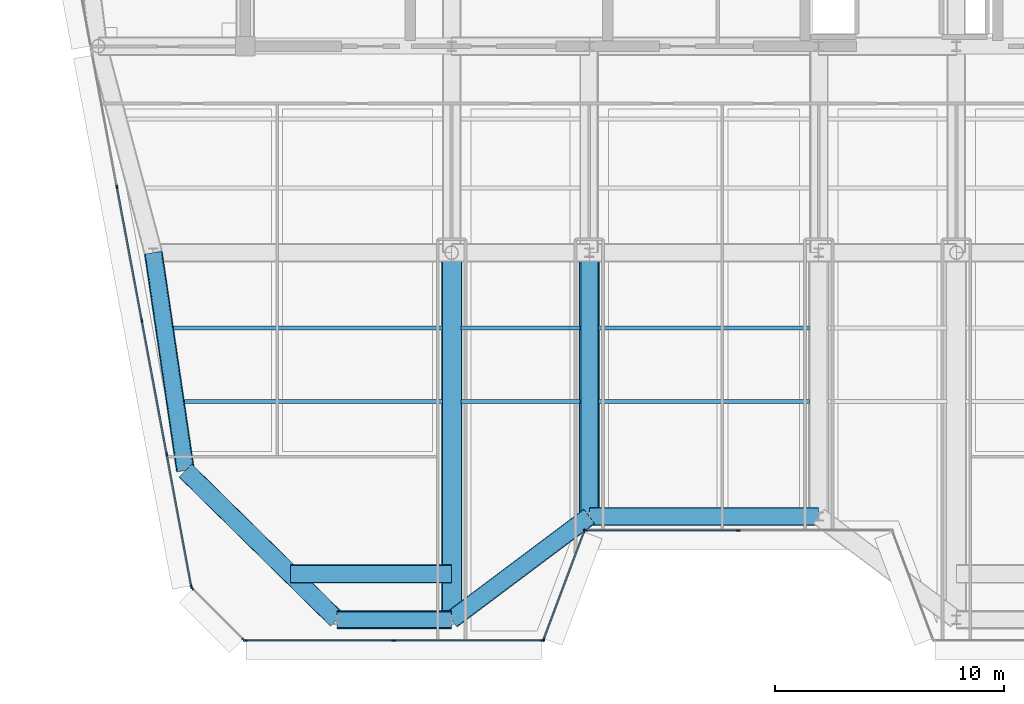
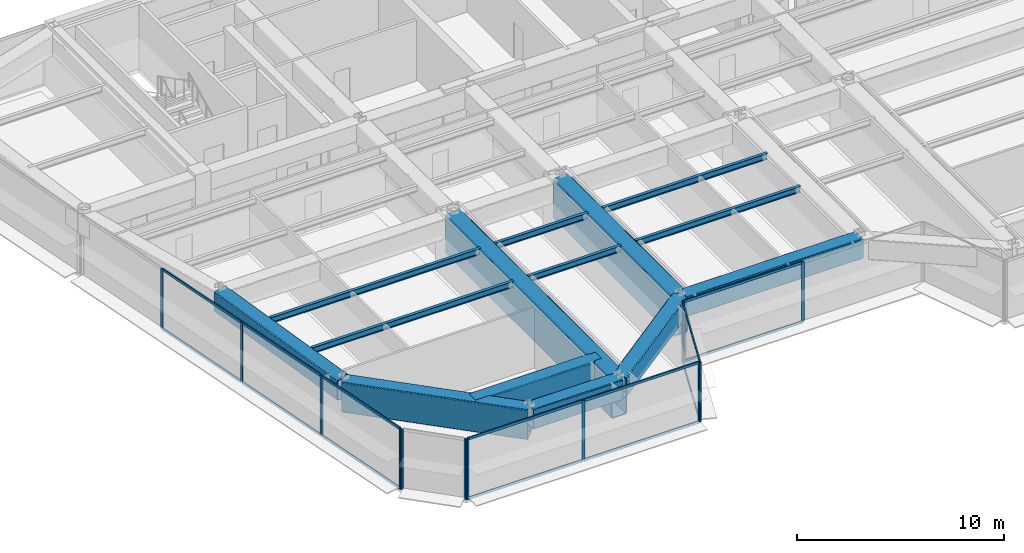
# One storey, part 3 of 18: 27 members, 14 beams, 5 elements without a shape of their own.
"""IFC4 building model written with IfcOpenShell, lengths in metres."""

from ifc_helpers import new_model, si_unit, direction, frame, origin, origin_2d, place, context, subcontext, project, spatial, rectangle, hollow_rectangle, i_section, extrude, source, transform, mapped, material, layer, layer_set, material_profile, profile_set, type_object, element, aggregate, save


model = new_model("IFC4")

# Units and contexts
model_context = context("Model", 3, precision=1e-05, world=origin(), true_north=direction((0.0, 1.0)))
body_context = subcontext(model_context, "Body", "Model", "MODEL_VIEW")
ifc_project = project(units=[si_unit("LENGTHUNIT", "METRE"), si_unit("AREAUNIT", "SQUARE_METRE"), si_unit("VOLUMEUNIT", "CUBIC_METRE"), si_unit("PLANEANGLEUNIT", "RADIAN"), si_unit("MASSUNIT", "GRAM", prefix="KILO")], contexts=[model_context])

# Site, building, storey
site_placement = place(None, origin())
site = spatial("IfcSite", under=ifc_project, at=site_placement, CompositionType="ELEMENT")
building_placement = place(site_placement, origin())
building = spatial("IfcBuilding", under=site, at=building_placement, Name="Vaeldorn Concourse Tower", CompositionType="ELEMENT")
storey_placement = place(building_placement, frame((0.0, 0.0, 265.0)))
storey = spatial("IfcBuildingStorey", under=building, at=storey_placement, Name="L68", CompositionType="ELEMENT", Elevation=265.0)

# Beams
ifc_material_1 = material(Name="Steel S460", Category="steel")
ifc_material_profile_1 = material_profile(ifc_material_1, hollow_rectangle(XDim=0.800048828125, YDim=1.199951171875, WallThickness=0.044921875, InnerFilletRadius=0.044921875, OuterFilletRadius=0.090087890625, at=origin_2d()), Name="RHS 1200x800x45")
ifc_profile_set_1 = profile_set([ifc_material_profile_1], Name="Steel S460")
beam_type_1 = type_object("IfcBeamType", Name="BM-TG-RHS1200", PredefinedType="BEAM", material=ifc_profile_set_1)
shared_shape_1 = source(origin(), body_context, "Body", "SweptSolid", [
    extrude(hollow_rectangle(XDim=0.800048828125, YDim=1.199951171875, WallThickness=0.044921875, InnerFilletRadius=0.044921875, OuterFilletRadius=0.090087890625, at=origin_2d()), origin(), (0.0, 0.0, 1.0), 10.0),
])
beam_1_placement = place(storey_placement, frame((29.0, 16.0, 2.97998046875), z_axis=(1.0, 0.0, 0.0), x_axis=(0.0, 1.0, 0.0)))
element("IfcBeam", 1, at=beam_1_placement, inside=storey, type_object=beam_type_1, Name="Beam BM-L68-C-SF3-C-SF4", PredefinedType="BEAM", context=body_context, shape_type="MappedRepresentation", body=[
    mapped(shared_shape_1, transform((0.0, 0.0, 0.0), scale=1.0)),
])
shared_shape_2 = source(origin(), body_context, "Body", "SweptSolid", [
    extrude(hollow_rectangle(XDim=0.800048828125, YDim=1.199951171875, WallThickness=0.044921875, InnerFilletRadius=0.044921875, OuterFilletRadius=0.090087890625, at=origin_2d()), origin(), (0.0, 0.0, 1.0), 5.0),
])
beam_2_placement = place(storey_placement, frame((18.0, 11.5, 2.97998046875), z_axis=(1.0, 0.0, 0.0), x_axis=(0.0, 1.0, 0.0)))
element("IfcBeam", 2, at=beam_2_placement, inside=storey, type_object=beam_type_1, Name="Beam BM-L68-C-SF1-C-SF2", PredefinedType="BEAM", context=body_context, shape_type="MappedRepresentation", body=[
    mapped(shared_shape_2, transform((0.0, 0.0, 0.0), scale=1.0)),
])
shared_shape_3 = source(origin(), body_context, "Body", "SweptSolid", [
    extrude(hollow_rectangle(XDim=0.800048828125, YDim=1.199951171875, WallThickness=0.044921875, InnerFilletRadius=0.044921875, OuterFilletRadius=0.090087890625, at=origin_2d()), origin(), (0.0, 0.0, 1.0), 7.5),
])
beam_3_placement = place(storey_placement, frame((23.0, 11.5, 2.97998046875), z_axis=(0.8, 0.6, 0.0), x_axis=(-0.6, 0.8, 0.0)))
element("IfcBeam", 3, at=beam_3_placement, inside=storey, type_object=beam_type_1, Name="Beam BM-L68-C-SF2-C-SF3", PredefinedType="BEAM", context=body_context, shape_type="MappedRepresentation", body=[
    mapped(shared_shape_3, transform((0.0, 0.0, 0.0), scale=1.0)),
])
shared_shape_4 = source(origin(), body_context, "Body", "SweptSolid", [
    extrude(hollow_rectangle(XDim=0.800048828125, YDim=1.199951171875, WallThickness=0.044921875, InnerFilletRadius=0.044921875, OuterFilletRadius=0.090087890625, at=origin_2d()), origin(), (0.0, 0.0, 1.0), 9.6025390625),
])
beam_4_placement = place(storey_placement, frame((10.0, 27.5, 2.97998046875), z_axis=(0.145783835977, -0.989316467652, 0.0), x_axis=(0.989316467652, 0.145783835977, 0.0)))
element("IfcBeam", 4, at=beam_4_placement, inside=storey, type_object=beam_type_1, Name="Beam BM-L68-C-FLW1-C-FLW2", PredefinedType="BEAM", context=body_context, shape_type="MappedRepresentation", body=[
    mapped(shared_shape_4, transform((0.0, 0.0, 0.0), scale=1.0)),
])
ifc_material_profile_2 = material_profile(ifc_material_1, hollow_rectangle(XDim=0.89990234375, YDim=2.39990234375, WallThickness=0.06005859375, InnerFilletRadius=0.06005859375, OuterFilletRadius=0.1201171875, at=origin_2d()), Name="RHS 2400x900x60")
ifc_profile_set_2 = profile_set([ifc_material_profile_2], Name="Steel S460")
beam_type_2 = type_object("IfcBeamType", Name="BM-TG-BOX2400", PredefinedType="BEAM", material=ifc_profile_set_2)
shared_shape_5 = source(origin(), body_context, "Body", "SweptSolid", [
    extrude(hollow_rectangle(XDim=0.89990234375, YDim=2.39990234375, WallThickness=0.06005859375, InnerFilletRadius=0.06005859375, OuterFilletRadius=0.1201171875, at=origin_2d()), origin(), (0.0, 0.0, 1.0), 11.5),
])
beam_5_placement = place(storey_placement, frame((29.0, 16.0, 2.3798828125), z_axis=(0.0, 1.0, 0.0), x_axis=(-1.0, 0.0, 0.0)))
element("IfcBeam", 5, at=beam_5_placement, inside=storey, type_object=beam_type_2, Name="Beam BM-SETBACK-L68-C-SF3", PredefinedType="BEAM", context=body_context, shape_type="MappedRepresentation", body=[
    mapped(shared_shape_5, transform((0.0, 0.0, 0.0), scale=1.0)),
])
shared_shape_6 = source(origin(), body_context, "Body", "SweptSolid", [
    extrude(hollow_rectangle(XDim=0.89990234375, YDim=2.39990234375, WallThickness=0.06005859375, InnerFilletRadius=0.06005859375, OuterFilletRadius=0.1201171875, at=origin_2d()), origin(), (0.0, 0.0, 1.0), 16.0),
])
beam_6_placement = place(storey_placement, frame((23.0, 11.5, 2.3798828125), z_axis=(0.0, 1.0, 0.0), x_axis=(-1.0, 0.0, 0.0)))
element("IfcBeam", 6, at=beam_6_placement, inside=storey, type_object=beam_type_2, Name="Beam BM-SETBACK-L68-C-SF2", PredefinedType="BEAM", context=body_context, shape_type="MappedRepresentation", body=[
    mapped(shared_shape_6, transform((0.0, 0.0, 0.0), scale=1.0)),
])
ifc_material_profile_3 = material_profile(ifc_material_1, hollow_rectangle(XDim=0.800048828125, YDim=1.800048828125, WallThickness=0.050048828125, InnerFilletRadius=0.050048828125, OuterFilletRadius=0.10009765625, at=origin_2d()), Name="RHS 1800x800x50")
ifc_profile_set_3 = profile_set([ifc_material_profile_3], Name="Steel S460")
beam_type_3 = type_object("IfcBeamType", Name="BM-TG-BOX1800", PredefinedType="BEAM", material=ifc_profile_set_3)
shared_shape_7 = source(origin(), body_context, "Body", "SweptSolid", [
    extrude(hollow_rectangle(XDim=0.800048828125, YDim=1.800048828125, WallThickness=0.050048828125, InnerFilletRadius=0.050048828125, OuterFilletRadius=0.10009765625, at=origin_2d()), origin(), (0.0, 0.0, 1.0), 9.263427734375),
])
beam_7_placement = place(storey_placement, frame((18.0, 11.5, 2.679931640625), z_axis=(-0.71248897494, 0.701683305053, 0.0), x_axis=(-0.701683305053, -0.71248897494, 0.0)))
element("IfcBeam", 7, at=beam_7_placement, inside=storey, type_object=beam_type_3, Name="Beam BM-SETBACK-FL-L68-C-SF1", PredefinedType="BEAM", context=body_context, shape_type="MappedRepresentation", body=[
    mapped(shared_shape_7, transform((0.0, 0.0, 0.0), scale=1.0)),
])
shared_shape_8 = source(origin(), body_context, "Body", "SweptSolid", [
    extrude(hollow_rectangle(XDim=0.800048828125, YDim=1.800048828125, WallThickness=0.050048828125, InnerFilletRadius=0.050048828125, OuterFilletRadius=0.10009765625, at=origin_2d()), origin(), (0.0, 0.0, 1.0), 7.03076171875),
])
beam_8_placement = place(storey_placement, frame((15.96923828125, 13.5, 2.679931640625), z_axis=(1.0, 0.0, 0.0), x_axis=(0.0, 1.0, 0.0)))
element("IfcBeam", 8, at=beam_8_placement, inside=storey, type_object=beam_type_3, Name="Beam BM-SETBACK-EW-L68-C-SF1", PredefinedType="BEAM", context=body_context, shape_type="MappedRepresentation", body=[
    mapped(shared_shape_8, transform((0.0, 0.0, 0.0), scale=1.0)),
])
ifc_material_2 = material(Name="Steel S355", Category="steel")
ifc_material_profile_4 = material_profile(ifc_material_2, i_section(OverallWidth=0.169921875, OverallDepth=0.360107421875, WebThickness=0.008056640625, FlangeThickness=0.0126953125, FilletRadius=0.01806640625, at=origin_2d()), Name="IPE 360")
ifc_profile_set_4 = profile_set([ifc_material_profile_4], Name="Steel S355")
beam_type_4 = type_object("IfcBeamType", Name="BM-JS-IPE360", PredefinedType="JOIST", material=ifc_profile_set_4)
shared_shape_9 = source(origin(), body_context, "Body", "SweptSolid", [
    extrude(i_section(OverallWidth=0.169921875, OverallDepth=0.360107421875, WebThickness=0.008056640625, FlangeThickness=0.0126953125, FilletRadius=0.01806640625, at=origin_2d()), origin(), (0.0, 0.0, 1.0), 11.2451171875),
])
beam_9_placement = place(storey_placement, frame((11.35498046875, 21.02001953125, 3.39990234375), z_axis=(1.0, 0.0, 0.0), x_axis=(0.0, 1.0, 0.0)))
element("IfcBeam", 9, at=beam_9_placement, inside=storey, type_object=beam_type_4, Name="Beam JS-L68-W1-210", PredefinedType="JOIST", context=body_context, shape_type="MappedRepresentation", body=[
    mapped(shared_shape_9, transform((0.0, 0.0, 0.0), scale=1.0)),
])
shared_shape_10 = source(origin(), body_context, "Body", "SweptSolid", [
    extrude(i_section(OverallWidth=0.169921875, OverallDepth=0.360107421875, WebThickness=0.008056640625, FlangeThickness=0.0126953125, FilletRadius=0.01806640625, at=origin_2d()), origin(), (0.0, 0.0, 1.0), 5.2001953125),
])
for number, where, z_axis, x_axis, name in (
    (10, (23.39990234375, 21.02001953125, 3.39990234375), (1.0, 0.0, 0.0), (0.0, 1.0, 0.0), "Beam JS-L68-W2-210"),
    (11, (23.39990234375, 24.219970703125, 3.39990234375), (1.0, 0.0, 0.0), (0.0, 1.0, 0.0), "Beam JS-L68-W2-242"),
):
    element("IfcBeam", number, at=place(storey_placement, frame(where, z_axis=z_axis, x_axis=x_axis)), inside=storey, type_object=beam_type_4, Name=name, PredefinedType="JOIST", context=body_context, shape_type="MappedRepresentation", body=[
        mapped(shared_shape_10, transform((0.0, 0.0, 0.0), scale=1.0)),
    ])
shared_shape_11 = source(origin(), body_context, "Body", "SweptSolid", [
    extrude(i_section(OverallWidth=0.169921875, OverallDepth=0.360107421875, WebThickness=0.008056640625, FlangeThickness=0.0126953125, FilletRadius=0.01806640625, at=origin_2d()), origin(), (0.0, 0.0, 1.0), 9.2001953125),
])
for number, where, z_axis, x_axis, name in (
    (12, (29.39990234375, 21.02001953125, 3.39990234375), (1.0, 0.0, 0.0), (0.0, 1.0, 0.0), "Beam JS-L68-C-210"),
    (13, (29.39990234375, 24.219970703125, 3.39990234375), (1.0, 0.0, 0.0), (0.0, 1.0, 0.0), "Beam JS-L68-C-242"),
):
    element("IfcBeam", number, at=place(storey_placement, frame(where, z_axis=z_axis, x_axis=x_axis)), inside=storey, type_object=beam_type_4, Name=name, PredefinedType="JOIST", context=body_context, shape_type="MappedRepresentation", body=[
        mapped(shared_shape_11, transform((0.0, 0.0, 0.0), scale=1.0)),
    ])
shared_shape_12 = source(origin(), body_context, "Body", "SweptSolid", [
    extrude(i_section(OverallWidth=0.169921875, OverallDepth=0.360107421875, WebThickness=0.008056640625, FlangeThickness=0.0126953125, FilletRadius=0.01806640625, at=origin_2d()), origin(), (0.0, 0.0, 1.0), 11.716796875),
])
beam_10_placement = place(storey_placement, frame((10.88330078125, 24.219970703125, 3.39990234375), z_axis=(1.0, 0.0, 0.0), x_axis=(0.0, 1.0, 0.0)))
element("IfcBeam", 14, at=beam_10_placement, inside=storey, type_object=beam_type_4, Name="Beam JS-L68-W1-242", PredefinedType="JOIST", context=body_context, shape_type="MappedRepresentation", body=[
    mapped(shared_shape_12, transform((0.0, 0.0, 0.0), scale=1.0)),
])

# Curtain wall, members
ifc_material_3 = material(Name="Anodised Bronze Aluminium", Category="aluminium")
ifc_layer = layer(ifc_material_3, 0.179931640625)
ifc_layer_set = layer_set([ifc_layer], Name="Anodised Bronze Aluminium")
curtain_wall_type = type_object("IfcCurtainWallType", Name="CW-SYS-05", PredefinedType="NOTDEFINED", material=ifc_layer_set)
curtain_wall_1_placement = place(storey_placement, origin())
curtain_wall_1 = element("IfcCurtainWall", 15, at=curtain_wall_1_placement, inside=storey, type_object=curtain_wall_type, Name="Unitised Curtain Wall CW-L68-E02-1", PredefinedType="NOTDEFINED")
ifc_material_profile_5 = material_profile(ifc_material_3, rectangle(XDim=0.06494140625, YDim=0.14990234375, at=origin_2d()), Name="CWT 65x150")
ifc_profile_set_5 = profile_set([ifc_material_profile_5], Name="Anodised Bronze Aluminium")
member_type_1 = type_object("IfcMemberType", Name="CWT-BRONZE-150", PredefinedType="USERDEFINED", material=ifc_profile_set_5)
shared_shape_13 = source(origin(), body_context, "Body", "SweptSolid", [
    extrude(rectangle(XDim=0.06494140625, YDim=0.14990234375, at=origin_2d()), origin(), (0.0, 0.0, 1.0), 4.996337890625),
])
member_1_placement = place(storey_placement, frame((27.022705078125, 10.660888671875, 0.032470703125), z_axis=(0.351134151405, 0.936325161318, 0.0), x_axis=(-0.936325161318, 0.351134151405, 0.0)))
member_1 = element("IfcMember", 16, at=member_1_placement, type_object=member_type_1, Name="CW-05 transom 1.1", ObjectType="TRANSOM", PredefinedType="USERDEFINED", context=body_context, shape_type="MappedRepresentation", body=[
    mapped(shared_shape_13, transform((0.0, 0.0, 0.0), scale=1.0)),
])
member_2_placement = place(storey_placement, frame((27.022705078125, 10.660888671875, 3.547607421875), z_axis=(0.351134151405, 0.936325161318, 0.0), x_axis=(-0.936325161318, 0.351134151405, 0.0)))
member_2 = element("IfcMember", 17, at=member_2_placement, type_object=member_type_1, Name="CW-05 transom 1.2", ObjectType="TRANSOM", PredefinedType="USERDEFINED", context=body_context, shape_type="MappedRepresentation", body=[
    mapped(shared_shape_13, transform((0.0, 0.0, 0.0), scale=1.0)),
])

curtain_wall_2_placement = place(storey_placement, origin())
curtain_wall_2 = element("IfcCurtainWall", 18, at=curtain_wall_2_placement, inside=storey, type_object=curtain_wall_type, Name="Unitised Curtain Wall CW-L68-E03-1", PredefinedType="NOTDEFINED")
shared_shape_14 = source(origin(), body_context, "Body", "SweptSolid", [
    extrude(rectangle(XDim=0.06494140625, YDim=0.14990234375, at=origin_2d()), origin(), (0.0, 0.0, 1.0), 6.6025390625),
])
member_3_placement = place(storey_placement, frame((28.864990234375, 15.39990234375, 0.032470703125), z_axis=(1.0, 0.0, 0.0), x_axis=(0.0, 1.0, 0.0)))
member_3 = element("IfcMember", 19, at=member_3_placement, type_object=member_type_1, Name="CW-05 transom 1.1", ObjectType="TRANSOM", PredefinedType="USERDEFINED", context=body_context, shape_type="MappedRepresentation", body=[
    mapped(shared_shape_14, transform((0.0, 0.0, 0.0), scale=1.0)),
])
member_4_placement = place(storey_placement, frame((28.864990234375, 15.39990234375, 3.547607421875), z_axis=(1.0, 0.0, 0.0), x_axis=(0.0, 1.0, 0.0)))
member_4 = element("IfcMember", 20, at=member_4_placement, type_object=member_type_1, Name="CW-05 transom 1.2", ObjectType="TRANSOM", PredefinedType="USERDEFINED", context=body_context, shape_type="MappedRepresentation", body=[
    mapped(shared_shape_14, transform((0.0, 0.0, 0.0), scale=1.0)),
])

curtain_wall_3_placement = place(storey_placement, origin())
curtain_wall_3 = element("IfcCurtainWall", 21, at=curtain_wall_3_placement, inside=storey, type_object=curtain_wall_type, Name="Unitised Curtain Wall CW-L68-E01-1", PredefinedType="NOTDEFINED")
ifc_material_profile_6 = material_profile(ifc_material_3, rectangle(XDim=0.06494140625, YDim=0.169921875, at=origin_2d()), Name="CWM 65x170")
ifc_profile_set_6 = profile_set([ifc_material_profile_6], Name="Anodised Bronze Aluminium")
member_type_2 = type_object("IfcMemberType", Name="CWM-BRONZE-170", PredefinedType="MULLION", material=ifc_profile_set_6)
shared_shape_15 = source(origin(), body_context, "Body", "SweptSolid", [
    extrude(rectangle(XDim=0.06494140625, YDim=0.169921875, at=origin_2d()), origin(), (0.0, 0.0, 1.0), 3.580078125),
])
member_5_placement = place(storey_placement, frame((13.99853515625, 10.60009765625, 0.0), z_axis=(0.0, 0.0, 1.0), x_axis=(0.0, 1.0, 0.0)))
member_5 = element("IfcMember", 22, at=member_5_placement, type_object=member_type_2, Name="CW-05 mullion 1", PredefinedType="MULLION", context=body_context, shape_type="MappedRepresentation", body=[
    mapped(shared_shape_15, transform((0.0, 0.0, 0.0), scale=1.0)),
])
member_6_placement = place(storey_placement, frame((20.48291015625, 10.60009765625, 0.0), z_axis=(0.0, 0.0, 1.0), x_axis=(0.0, 1.0, 0.0)))
member_6 = element("IfcMember", 23, at=member_6_placement, type_object=member_type_2, Name="CW-05 mullion 2", PredefinedType="MULLION", context=body_context, shape_type="MappedRepresentation", body=[
    mapped(shared_shape_15, transform((0.0, 0.0, 0.0), scale=1.0)),
])
member_7_placement = place(storey_placement, frame((26.967529296875, 10.60009765625, 0.0), z_axis=(0.0, 0.0, 1.0), x_axis=(0.0, 1.0, 0.0)))
member_7 = element("IfcMember", 24, at=member_7_placement, type_object=member_type_2, Name="CW-05 mullion 3", PredefinedType="MULLION", context=body_context, shape_type="MappedRepresentation", body=[
    mapped(shared_shape_15, transform((0.0, 0.0, 0.0), scale=1.0)),
])

# Member
member_8_placement = place(storey_placement, frame((27.011474609375, 10.63037109375, 0.0), z_axis=(0.0, 0.0, 1.0), x_axis=(-0.936329177566, 0.351123441595, 0.0)))
member_8 = element("IfcMember", 25, at=member_8_placement, type_object=member_type_2, Name="CW-05 mullion 1", PredefinedType="MULLION", context=body_context, shape_type="MappedRepresentation", body=[
    mapped(shared_shape_15, transform((0.0, 0.0, 0.0), scale=1.0)),
])

member_9_placement = place(storey_placement, frame((28.78857421875, 15.36962890625, 0.0), z_axis=(0.0, 0.0, 1.0), x_axis=(-0.936329177566, 0.351123441595, 0.0)))
member_9 = element("IfcMember", 26, at=member_9_placement, type_object=member_type_2, Name="CW-05 mullion 2", PredefinedType="MULLION", context=body_context, shape_type="MappedRepresentation", body=[
    mapped(shared_shape_15, transform((0.0, 0.0, 0.0), scale=1.0)),
])

aggregate(curtain_wall_1, [member_8, member_9, member_1, member_2])

member_10_placement = place(storey_placement, frame((28.83251953125, 15.39990234375, 0.0), z_axis=(0.0, 0.0, 1.0), x_axis=(0.0, 1.0, 0.0)))
member_10 = element("IfcMember", 27, at=member_10_placement, type_object=member_type_2, Name="CW-05 mullion 1", PredefinedType="MULLION", context=body_context, shape_type="MappedRepresentation", body=[
    mapped(shared_shape_15, transform((0.0, 0.0, 0.0), scale=1.0)),
])

member_11_placement = place(storey_placement, frame((35.5, 15.39990234375, 0.0), z_axis=(0.0, 0.0, 1.0), x_axis=(0.0, 1.0, 0.0)))
member_11 = element("IfcMember", 28, at=member_11_placement, type_object=member_type_2, Name="CW-05 mullion 2", PredefinedType="MULLION", context=body_context, shape_type="MappedRepresentation", body=[
    mapped(shared_shape_15, transform((0.0, 0.0, 0.0), scale=1.0)),
])

aggregate(curtain_wall_2, [member_10, member_11, member_3, member_4])

# Curtain wall, members
curtain_wall_4_placement = place(storey_placement, origin())
curtain_wall_4 = element("IfcCurtainWall", 29, at=curtain_wall_4_placement, inside=storey, type_object=curtain_wall_type, Name="Unitised Curtain Wall CW-L68-E11-2", PredefinedType="NOTDEFINED")
member_12_placement = place(storey_placement, frame((8.414306640625, 30.36376953125, 0.0), z_axis=(0.0, 0.0, 1.0), x_axis=(0.983102653673, 0.18305510739, 0.0)))
member_12 = element("IfcMember", 30, at=member_12_placement, type_object=member_type_2, Name="CW-05 mullion 2", PredefinedType="MULLION", context=body_context, shape_type="MappedRepresentation", body=[
    mapped(shared_shape_15, transform((0.0, 0.0, 0.0), scale=1.0)),
])
member_13_placement = place(storey_placement, frame((9.498046875, 24.54248046875, 0.0), z_axis=(0.0, 0.0, 1.0), x_axis=(0.983102653673, 0.18305510739, 0.0)))
member_13 = element("IfcMember", 31, at=member_13_placement, type_object=member_type_2, Name="CW-05 mullion 3", PredefinedType="MULLION", context=body_context, shape_type="MappedRepresentation", body=[
    mapped(shared_shape_15, transform((0.0, 0.0, 0.0), scale=1.0)),
])
member_14_placement = place(storey_placement, frame((10.58203125, 18.72119140625, 0.0), z_axis=(0.0, 0.0, 1.0), x_axis=(0.983102653673, 0.18305510739, 0.0)))
member_14 = element("IfcMember", 32, at=member_14_placement, type_object=member_type_2, Name="CW-05 mullion 4", PredefinedType="MULLION", context=body_context, shape_type="MappedRepresentation", body=[
    mapped(shared_shape_15, transform((0.0, 0.0, 0.0), scale=1.0)),
])
member_15_placement = place(storey_placement, frame((11.66015625, 12.931884765625, 0.0), z_axis=(0.0, 0.0, 1.0), x_axis=(0.983102653673, 0.18305510739, 0.0)))
member_15 = element("IfcMember", 33, at=member_15_placement, type_object=member_type_2, Name="CW-05 mullion 5", PredefinedType="MULLION", context=body_context, shape_type="MappedRepresentation", body=[
    mapped(shared_shape_15, transform((0.0, 0.0, 0.0), scale=1.0)),
])

curtain_wall_5_placement = place(storey_placement, origin())
curtain_wall_5 = element("IfcCurtainWall", 34, at=curtain_wall_5_placement, inside=storey, type_object=curtain_wall_type, Name="Unitised Curtain Wall CW-L68-E12-1", PredefinedType="NOTDEFINED")
member_16_placement = place(storey_placement, frame((11.68896484375, 12.876953125, 0.0), z_axis=(0.0, 0.0, 1.0), x_axis=(0.707106781187, 0.707106781187, 0.0)))
member_16 = element("IfcMember", 35, at=member_16_placement, type_object=member_type_2, Name="CW-05 mullion 1", PredefinedType="MULLION", context=body_context, shape_type="MappedRepresentation", body=[
    mapped(shared_shape_15, transform((0.0, 0.0, 0.0), scale=1.0)),
])
member_17_placement = place(storey_placement, frame((13.943115234375, 10.623046875, 0.0), z_axis=(0.0, 0.0, 1.0), x_axis=(0.707106781187, 0.707106781187, 0.0)))
member_17 = element("IfcMember", 36, at=member_17_placement, type_object=member_type_2, Name="CW-05 mullion 2", PredefinedType="MULLION", context=body_context, shape_type="MappedRepresentation", body=[
    mapped(shared_shape_15, transform((0.0, 0.0, 0.0), scale=1.0)),
])
aggregate(curtain_wall_5, [member_16, member_17])

# Member
shared_shape_16 = source(origin(), body_context, "Body", "SweptSolid", [
    extrude(rectangle(XDim=0.06494140625, YDim=0.14990234375, at=origin_2d()), origin(), (0.0, 0.0, 1.0), 5.82373046875),
])
member_18_placement = place(storey_placement, frame((10.588134765625, 18.689208984375, 0.032470703125), z_axis=(0.183030414843, -0.983107251139, 0.0), x_axis=(0.983107251139, 0.183030414843, 0.0)))
member_18 = element("IfcMember", 37, at=member_18_placement, type_object=member_type_1, Name="CW-05 transom 4.1", ObjectType="TRANSOM", PredefinedType="USERDEFINED", context=body_context, shape_type="MappedRepresentation", body=[
    mapped(shared_shape_16, transform((0.0, 0.0, 0.0), scale=1.0)),
])

member_19_placement = place(storey_placement, frame((10.588134765625, 18.689208984375, 3.547607421875), z_axis=(0.183030414843, -0.983107251139, 0.0), x_axis=(0.983107251139, 0.183030414843, 0.0)))
member_19 = element("IfcMember", 38, at=member_19_placement, type_object=member_type_1, Name="CW-05 transom 4.2", ObjectType="TRANSOM", PredefinedType="USERDEFINED", context=body_context, shape_type="MappedRepresentation", body=[
    mapped(shared_shape_16, transform((0.0, 0.0, 0.0), scale=1.0)),
])

shared_shape_17 = source(origin(), body_context, "Body", "SweptSolid", [
    extrude(rectangle(XDim=0.06494140625, YDim=0.14990234375, at=origin_2d()), origin(), (0.0, 0.0, 1.0), 5.856201171875),
])
member_20_placement = place(storey_placement, frame((8.420166015625, 30.331787109375, 0.032470703125), z_axis=(0.18305503402, -0.983102667334, 0.0), x_axis=(0.983102667334, 0.18305503402, 0.0)))
member_20 = element("IfcMember", 39, at=member_20_placement, type_object=member_type_1, Name="CW-05 transom 2.1", ObjectType="TRANSOM", PredefinedType="USERDEFINED", context=body_context, shape_type="MappedRepresentation", body=[
    mapped(shared_shape_17, transform((0.0, 0.0, 0.0), scale=1.0)),
])

member_21_placement = place(storey_placement, frame((8.420166015625, 30.331787109375, 3.547607421875), z_axis=(0.18305503402, -0.983102667334, 0.0), x_axis=(0.983102667334, 0.18305503402, 0.0)))
member_21 = element("IfcMember", 40, at=member_21_placement, type_object=member_type_1, Name="CW-05 transom 2.2", ObjectType="TRANSOM", PredefinedType="USERDEFINED", context=body_context, shape_type="MappedRepresentation", body=[
    mapped(shared_shape_17, transform((0.0, 0.0, 0.0), scale=1.0)),
])

member_22_placement = place(storey_placement, frame((9.504150390625, 24.510498046875, 0.032470703125), z_axis=(0.18305503402, -0.983102667334, 0.0), x_axis=(0.983102667334, 0.18305503402, 0.0)))
member_22 = element("IfcMember", 41, at=member_22_placement, type_object=member_type_1, Name="CW-05 transom 3.1", ObjectType="TRANSOM", PredefinedType="USERDEFINED", context=body_context, shape_type="MappedRepresentation", body=[
    mapped(shared_shape_17, transform((0.0, 0.0, 0.0), scale=1.0)),
])

member_23_placement = place(storey_placement, frame((9.504150390625, 24.510498046875, 3.547607421875), z_axis=(0.18305503402, -0.983102667334, 0.0), x_axis=(0.983102667334, 0.18305503402, 0.0)))
member_23 = element("IfcMember", 42, at=member_23_placement, type_object=member_type_1, Name="CW-05 transom 3.2", ObjectType="TRANSOM", PredefinedType="USERDEFINED", context=body_context, shape_type="MappedRepresentation", body=[
    mapped(shared_shape_17, transform((0.0, 0.0, 0.0), scale=1.0)),
])

aggregate(curtain_wall_4, [member_12, member_13, member_14, member_15, member_20, member_21, member_22, member_23, member_18, member_19])

shared_shape_18 = source(origin(), body_context, "Body", "SweptSolid", [
    extrude(rectangle(XDim=0.06494140625, YDim=0.14990234375, at=origin_2d()), origin(), (0.0, 0.0, 1.0), 6.41943359375),
])
member_24_placement = place(storey_placement, frame((14.031005859375, 10.60009765625, 0.032470703125), z_axis=(1.0, 0.0, 0.0), x_axis=(0.0, 1.0, 0.0)))
member_24 = element("IfcMember", 43, at=member_24_placement, type_object=member_type_1, Name="CW-05 transom 1.1", ObjectType="TRANSOM", PredefinedType="USERDEFINED", context=body_context, shape_type="MappedRepresentation", body=[
    mapped(shared_shape_18, transform((0.0, 0.0, 0.0), scale=1.0)),
])

member_25_placement = place(storey_placement, frame((14.031005859375, 10.60009765625, 3.547607421875), z_axis=(1.0, 0.0, 0.0), x_axis=(0.0, 1.0, 0.0)))
member_25 = element("IfcMember", 44, at=member_25_placement, type_object=member_type_1, Name="CW-05 transom 1.2", ObjectType="TRANSOM", PredefinedType="USERDEFINED", context=body_context, shape_type="MappedRepresentation", body=[
    mapped(shared_shape_18, transform((0.0, 0.0, 0.0), scale=1.0)),
])

shared_shape_19 = source(origin(), body_context, "Body", "SweptSolid", [
    extrude(rectangle(XDim=0.06494140625, YDim=0.14990234375, at=origin_2d()), origin(), (0.0, 0.0, 1.0), 6.419677734375),
])
member_26_placement = place(storey_placement, frame((20.515380859375, 10.60009765625, 0.032470703125), z_axis=(1.0, 0.0, 0.0), x_axis=(0.0, 1.0, 0.0)))
member_26 = element("IfcMember", 45, at=member_26_placement, type_object=member_type_1, Name="CW-05 transom 2.1", ObjectType="TRANSOM", PredefinedType="USERDEFINED", context=body_context, shape_type="MappedRepresentation", body=[
    mapped(shared_shape_19, transform((0.0, 0.0, 0.0), scale=1.0)),
])

member_27_placement = place(storey_placement, frame((20.515380859375, 10.60009765625, 3.547607421875), z_axis=(1.0, 0.0, 0.0), x_axis=(0.0, 1.0, 0.0)))
member_27 = element("IfcMember", 46, at=member_27_placement, type_object=member_type_1, Name="CW-05 transom 2.2", ObjectType="TRANSOM", PredefinedType="USERDEFINED", context=body_context, shape_type="MappedRepresentation", body=[
    mapped(shared_shape_19, transform((0.0, 0.0, 0.0), scale=1.0)),
])

aggregate(curtain_wall_3, [member_5, member_6, member_7, member_24, member_25, member_26, member_27])

save(model, "model.ifc")
